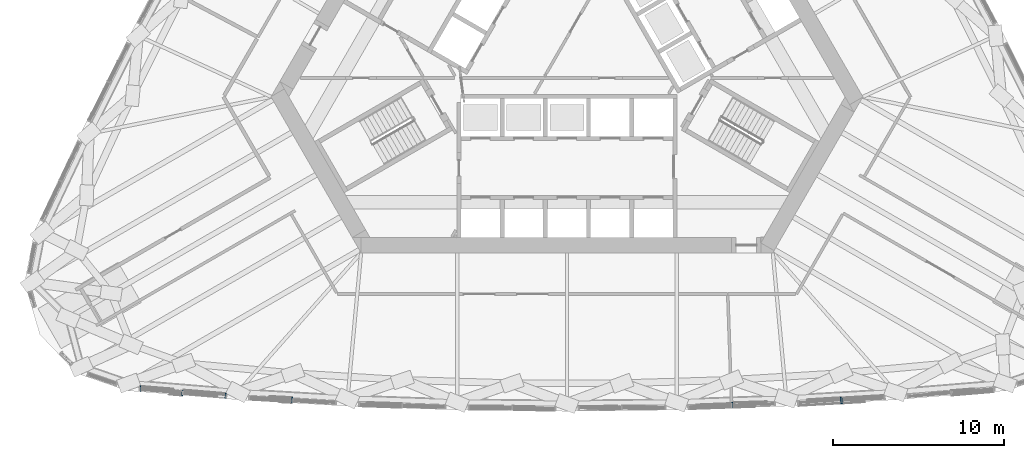
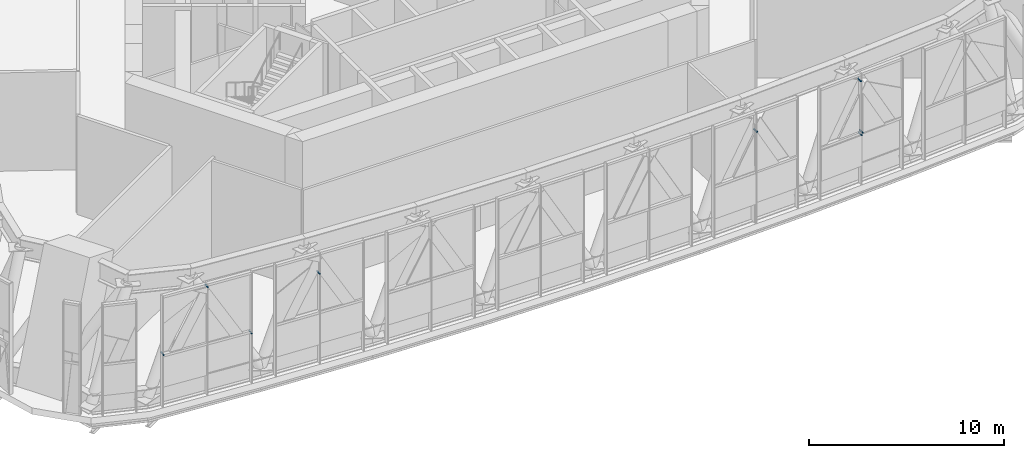
# One storey, part 28 of 33: 8 discrete accessories, 1 element without a shape of its own.
"""IFC4 building model written with IfcOpenShell, lengths in metres."""

from ifc_helpers import new_model, si_unit, direction, frame, origin, origin_2d, place, context, subcontext, project, spatial, rectangle, extrude, material, layer, layer_set, type_object, element, aggregate, save


model = new_model("IFC4")

# Units and contexts
model_context = context("Model", 3, precision=1e-05, world=origin(), true_north=direction((0.0, 1.0)))
body_context = subcontext(model_context, "Body", "Model", "MODEL_VIEW")
ifc_project = project(units=[si_unit("LENGTHUNIT", "METRE"), si_unit("AREAUNIT", "SQUARE_METRE"), si_unit("VOLUMEUNIT", "CUBIC_METRE"), si_unit("PLANEANGLEUNIT", "RADIAN"), si_unit("MASSUNIT", "GRAM", prefix="KILO")], contexts=[model_context])

# Site, building, storey
site_placement = place(None, origin())
site = spatial("IfcSite", under=ifc_project, at=site_placement, CompositionType="ELEMENT")
building_placement = place(site_placement, origin())
building = spatial("IfcBuilding", under=site, at=building_placement, Name="Mestral Congress Tower", CompositionType="ELEMENT")
storey_placement = place(building_placement, frame((0.0, 0.0, 134.39990234375)))
storey = spatial("IfcBuildingStorey", under=building, at=storey_placement, Name="L32", CompositionType="ELEMENT", Elevation=134.39990234375)

# Curtain wall, discrete accessories
ifc_material_1 = material(Name="Clear low-emissivity double glazing", Category="glass")
curtain_wall_type = type_object("IfcCurtainWallType", Name="Facade sky lobby curtain wall", PredefinedType="USERDEFINED", material=ifc_material_1)
curtain_wall_placement = place(storey_placement, origin())
curtain_wall = element("IfcCurtainWall", 1, at=curtain_wall_placement, inside=storey, type_object=curtain_wall_type, Name="Facade sky lobby curtain wall face 1", ObjectType="CURTAIN WALL", PredefinedType="USERDEFINED")
ifc_material_2 = material(Name="Steel S355", Category="steel")
ifc_layer = layer(ifc_material_2, 0.050048828125)
ifc_layer_set = layer_set([ifc_layer], Name="Steel S355")
discrete_accessory_type = type_object("IfcDiscreteAccessoryType", Name="Facade bracket", PredefinedType="BRACKET", material=ifc_layer_set)
discrete_accessory_1_placement = place(storey_placement, frame((-22.432373046875, -21.184326171875, 6.78515625), z_axis=(0.0, 0.0, 1.0), x_axis=(0.996659944452, -0.081663670777, 0.0)))
discrete_accessory_1 = element("IfcDiscreteAccessory", 2, at=discrete_accessory_1_placement, type_object=discrete_accessory_type, Name="Facade bracket", PredefinedType="BRACKET", context=body_context, shape_type="SweptSolid", body=[
    extrude(rectangle(XDim=0.052001953125, YDim=0.32470703125, at=origin_2d()), origin(), (0.0, 0.0, 1.0), 0.050048828125),
])
discrete_accessory_2_placement = place(storey_placement, frame((-24.884521484375, -20.9267578125, 3.2451171875), z_axis=(0.0, 0.0, 1.0), x_axis=(0.996649246164, -0.081794132559, 0.0)))
discrete_accessory_2 = element("IfcDiscreteAccessory", 3, at=discrete_accessory_2_placement, type_object=discrete_accessory_type, Name="Facade bracket", PredefinedType="BRACKET", context=body_context, shape_type="SweptSolid", body=[
    extrude(rectangle(XDim=0.05078125, YDim=0.322021484375, at=origin_2d()), origin(), (0.0, 0.0, 1.0), 0.050048828125),
])
discrete_accessory_3_placement = place(storey_placement, frame((-19.914306640625, -21.340087890625, 3.10498046875), z_axis=(0.0, 0.0, 1.0), x_axis=(0.99665210071, -0.081759342887, 0.0)))
discrete_accessory_3 = element("IfcDiscreteAccessory", 4, at=discrete_accessory_3_placement, type_object=discrete_accessory_type, Name="Facade bracket", PredefinedType="BRACKET", context=body_context, shape_type="SweptSolid", body=[
    extrude(rectangle(XDim=0.050048828125, YDim=0.3125, at=origin_2d()), origin(), (0.0, 0.0, 1.0), 0.050048828125),
])
discrete_accessory_4_placement = place(storey_placement, frame((-16.03662109375, -21.581298828125, 5.62890625), z_axis=(0.0, 0.0, 1.0), x_axis=(0.998288243439, -0.058485750502, 0.0)))
discrete_accessory_4 = element("IfcDiscreteAccessory", 5, at=discrete_accessory_4_placement, type_object=discrete_accessory_type, Name="Facade bracket", PredefinedType="BRACKET", context=body_context, shape_type="SweptSolid", body=[
    extrude(rectangle(XDim=0.050048828125, YDim=0.31640625, at=origin_2d()), origin(), (0.0, 0.0, 1.0), 0.050048828125),
])
discrete_accessory_5_placement = place(storey_placement, frame((9.640625, -21.882568359375, 5.68798828125), z_axis=(0.0, 0.0, 1.0), x_axis=(0.999385822073, 0.03504252616, 0.0)))
discrete_accessory_5 = element("IfcDiscreteAccessory", 6, at=discrete_accessory_5_placement, type_object=discrete_accessory_type, Name="Facade bracket", PredefinedType="BRACKET", context=body_context, shape_type="SweptSolid", body=[
    extrude(rectangle(XDim=0.057861328125, YDim=0.3154296875, at=origin_2d()), origin(), (0.0, 0.0, 1.0), 0.050048828125),
])
discrete_accessory_6_placement = place(storey_placement, frame((15.97900390625, -21.636474609375, 3.10498046875), z_axis=(0.0, 0.0, 1.0), x_axis=(0.998291508342, 0.058429995477, 0.0)))
discrete_accessory_6 = element("IfcDiscreteAccessory", 7, at=discrete_accessory_6_placement, type_object=discrete_accessory_type, Name="Facade bracket", PredefinedType="BRACKET", context=body_context, shape_type="SweptSolid", body=[
    extrude(rectangle(XDim=0.050048828125, YDim=0.32568359375, at=origin_2d()), origin(), (0.0, 0.0, 1.0), 0.050048828125),
])
discrete_accessory_7_placement = place(storey_placement, frame((15.976806640625, -21.5849609375, 6.44970703125), z_axis=(0.0, 0.0, 1.0), x_axis=(0.998287120409, 0.058504916249, 0.0)))
discrete_accessory_7 = element("IfcDiscreteAccessory", 8, at=discrete_accessory_7_placement, type_object=discrete_accessory_type, Name="Facade bracket", PredefinedType="BRACKET", context=body_context, shape_type="SweptSolid", body=[
    extrude(rectangle(XDim=0.051513671875, YDim=0.31494140625, at=origin_2d()), origin(), (0.0, 0.0, 1.0), 0.050048828125),
])
discrete_accessory_8_placement = place(storey_placement, frame((16.040283203125, -21.635986328125, 3.2451171875), z_axis=(0.0, 0.0, 1.0), x_axis=(0.998288243439, 0.058485750502, 0.0)))
discrete_accessory_8 = element("IfcDiscreteAccessory", 9, at=discrete_accessory_8_placement, type_object=discrete_accessory_type, Name="Facade bracket", PredefinedType="BRACKET", context=body_context, shape_type="SweptSolid", body=[
    extrude(rectangle(XDim=0.050048828125, YDim=0.333740234375, at=origin_2d()), origin(), (0.0, 0.0, 1.0), 0.050048828125),
])
aggregate(curtain_wall, [discrete_accessory_1, discrete_accessory_2, discrete_accessory_3, discrete_accessory_4, discrete_accessory_5, discrete_accessory_6, discrete_accessory_7, discrete_accessory_8])

save(model, "model.ifc")
